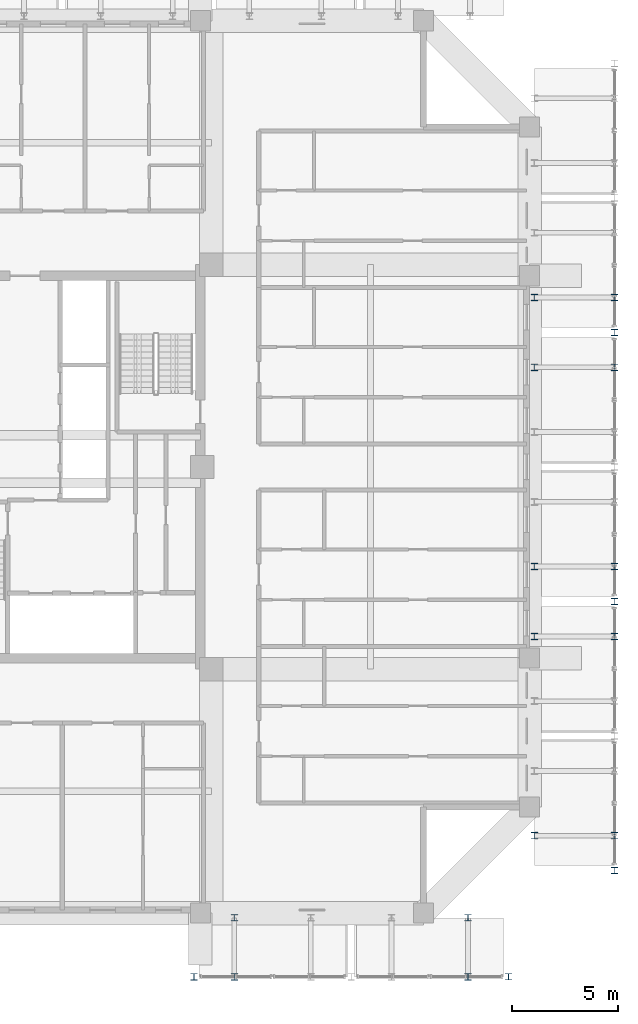
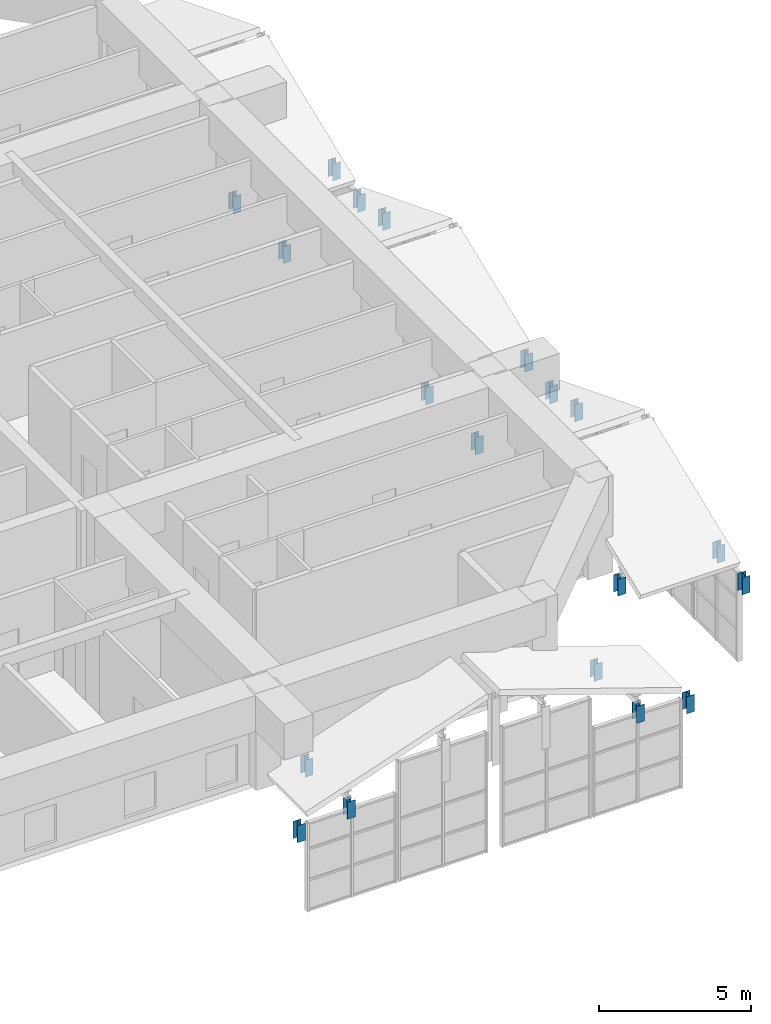
# One storey, part 29 of 45: 19 members.
"""IFC4 building model written with IfcOpenShell, lengths in metres."""

from ifc_helpers import new_model, si_unit, direction, frame, origin, origin_2d, place, context, subcontext, project, spatial, i_section, extrude, source, transform, mapped, material, material_profile, profile_set, type_object, element, save


model = new_model("IFC4")

# Units and contexts
model_context = context("Model", 3, precision=1e-05, world=origin(), true_north=direction((0.0, 1.0)))
body_context = subcontext(model_context, "Body", "Model", "MODEL_VIEW")
ifc_project = project(units=[si_unit("LENGTHUNIT", "METRE"), si_unit("AREAUNIT", "SQUARE_METRE"), si_unit("VOLUMEUNIT", "CUBIC_METRE"), si_unit("PLANEANGLEUNIT", "RADIAN"), si_unit("MASSUNIT", "GRAM", prefix="KILO")], contexts=[model_context])

# Site, building, storey
site_placement = place(None, origin())
site = spatial("IfcSite", under=ifc_project, at=site_placement, CompositionType="ELEMENT")
building_placement = place(site_placement, origin())
building = spatial("IfcBuilding", under=site, at=building_placement, Name="Saelheon Loggia Tower", CompositionType="ELEMENT")
storey_placement = place(building_placement, frame((0.0, 0.0, 152.199951171875)))
storey = spatial("IfcBuildingStorey", under=building, at=storey_placement, Name="L48", CompositionType="ELEMENT", Elevation=152.199951171875)

# Members
ifc_material = material(Name="Steel SM355", Category="steel")
ifc_material_profile_1 = material_profile(ifc_material, i_section(OverallWidth=0.300048828125, OverallDepth=0.300048828125, WebThickness=0.010009765625, FlangeThickness=0.014892578125, at=origin_2d()), Name="H-300x300x10x15")
ifc_profile_set_1 = profile_set([ifc_material_profile_1], Name="Steel SM355")
member_type_1 = type_object("IfcMemberType", Name="WaveCrest_Post_H300", PredefinedType="POST", material=ifc_profile_set_1)
shared_shape_1 = source(origin(), body_context, "Body", "SweptSolid", [
    extrude(i_section(OverallWidth=0.300048828125, OverallDepth=0.300048828125, WebThickness=0.010009765625, FlangeThickness=0.014892578125, at=origin_2d()), origin(), (0.0, 0.0, 1.0), 0.679931640625),
])
for number, where, z_axis, x_axis, name in (
    (1, (64.0, 8.0, -0.47998046875), (0.0, 0.0, 1.0), (1.0, 0.0, 0.0), "Tier 1 Wave Crest Upper Post E 00"),
    (2, (64.0, 20.666748046875, -0.47998046875), (0.0, 0.0, 1.0), (1.0, 0.0, 0.0), "Tier 1 Wave Crest Upper Post E 02"),
    (3, (64.0, 33.333251953125, -0.47998046875), (0.0, 0.0, 1.0), (1.0, 0.0, 0.0), "Tier 1 Wave Crest Upper Post E 04"),
    (4, (44.199951171875, 3.0, -0.47998046875), (0.0, 0.0, 1.0), (1.0, 0.0, 0.0), "Tier 1 Wave Crest Upper Post SE 00"),
    (5, (59.0, 3.0, -0.47998046875), (0.0, 0.0, 1.0), (1.0, 0.0, 0.0), "Tier 1 Wave Crest Upper Post SE 02"),
    (6, (46.100830078125, 3.0, -0.20166015625), (0.0, 0.0, 1.0), (1.0, 0.0, 0.0), "Tier 1 Rafter Outer Upper Post SE 01"),
):
    element("IfcMember", number, at=place(storey_placement, frame(where, z_axis=z_axis, x_axis=x_axis)), inside=storey, type_object=member_type_1, Name=name, PredefinedType="POST", context=body_context, shape_type="MappedRepresentation", body=[
        mapped(shared_shape_1, transform((0.0, 0.0, 0.0), scale=1.0)),
    ])
ifc_material_profile_2 = material_profile(ifc_material, i_section(OverallWidth=0.300048828125, OverallDepth=0.300048828125, WebThickness=0.010009765625, FlangeThickness=0.014892578125, at=origin_2d()), Name="H-300x300x10x15")
ifc_profile_set_2 = profile_set([ifc_material_profile_2], Name="Steel SM355")
member_type_2 = type_object("IfcMemberType", Name="Belt_Post_H300", PredefinedType="POST", material=ifc_profile_set_2)
member_1_placement = place(storey_placement, frame((46.100830078125, 5.780029296875, -0.20166015625), z_axis=(0.0, 0.0, 1.0), x_axis=(1.0, 0.0, 0.0)))
element("IfcMember", 7, at=member_1_placement, inside=storey, type_object=member_type_2, Name="Tier 1 Rafter Inner Post SE 01", PredefinedType="POST", context=body_context, shape_type="MappedRepresentation", body=[
    mapped(shared_shape_1, transform((0.0, 0.0, 0.0), scale=1.0)),
])
member_2_placement = place(storey_placement, frame((57.09912109375, 3.0, -0.20166015625), z_axis=(0.0, 0.0, 1.0), x_axis=(1.0, 0.0, 0.0)))
element("IfcMember", 8, at=member_2_placement, inside=storey, type_object=member_type_1, Name="Tier 1 Rafter Outer Upper Post SE 02", PredefinedType="POST", context=body_context, shape_type="MappedRepresentation", body=[
    mapped(shared_shape_1, transform((0.0, 0.0, 0.0), scale=1.0)),
])
member_3_placement = place(storey_placement, frame((57.09912109375, 5.780029296875, -0.20166015625), z_axis=(0.0, 0.0, 1.0), x_axis=(1.0, 0.0, 0.0)))
element("IfcMember", 9, at=member_3_placement, inside=storey, type_object=member_type_2, Name="Tier 1 Rafter Inner Post SE 02", PredefinedType="POST", context=body_context, shape_type="MappedRepresentation", body=[
    mapped(shared_shape_1, transform((0.0, 0.0, 0.0), scale=1.0)),
])
shared_shape_2 = source(origin(), body_context, "Body", "SweptSolid", [
    extrude(i_section(OverallWidth=0.300048828125, OverallDepth=0.300048828125, WebThickness=0.010009765625, FlangeThickness=0.014892578125, at=origin_2d()), origin(), (0.0, 0.0, 1.0), 0.68017578125),
])
member_4_placement = place(storey_placement, frame((64.0, 9.644775390625, -0.2080078125), z_axis=(0.0, 0.0, 1.0), x_axis=(1.0, 0.0, 0.0)))
element("IfcMember", 10, at=member_4_placement, inside=storey, type_object=member_type_1, Name="Tier 1 Rafter Outer Upper Post E 01", PredefinedType="POST", context=body_context, shape_type="MappedRepresentation", body=[
    mapped(shared_shape_2, transform((0.0, 0.0, 0.0), scale=1.0)),
])
member_5_placement = place(storey_placement, frame((60.219970703125, 9.644775390625, -0.2080078125), z_axis=(0.0, 0.0, 1.0), x_axis=(1.0, 0.0, 0.0)))
element("IfcMember", 11, at=member_5_placement, inside=storey, type_object=member_type_2, Name="Tier 1 Rafter Inner Post E 01", PredefinedType="POST", context=body_context, shape_type="MappedRepresentation", body=[
    mapped(shared_shape_2, transform((0.0, 0.0, 0.0), scale=1.0)),
])
member_6_placement = place(storey_placement, frame((64.0, 19.02197265625, -0.2080078125), z_axis=(0.0, 0.0, 1.0), x_axis=(1.0, 0.0, 0.0)))
element("IfcMember", 12, at=member_6_placement, inside=storey, type_object=member_type_1, Name="Tier 1 Rafter Outer Upper Post E 02", PredefinedType="POST", context=body_context, shape_type="MappedRepresentation", body=[
    mapped(shared_shape_2, transform((0.0, 0.0, 0.0), scale=1.0)),
])
member_7_placement = place(storey_placement, frame((60.219970703125, 19.02197265625, -0.2080078125), z_axis=(0.0, 0.0, 1.0), x_axis=(1.0, 0.0, 0.0)))
element("IfcMember", 13, at=member_7_placement, inside=storey, type_object=member_type_2, Name="Tier 1 Rafter Inner Post E 02", PredefinedType="POST", context=body_context, shape_type="MappedRepresentation", body=[
    mapped(shared_shape_2, transform((0.0, 0.0, 0.0), scale=1.0)),
])
member_8_placement = place(storey_placement, frame((64.0, 22.3115234375, -0.2080078125), z_axis=(0.0, 0.0, 1.0), x_axis=(1.0, 0.0, 0.0)))
element("IfcMember", 14, at=member_8_placement, inside=storey, type_object=member_type_1, Name="Tier 1 Rafter Outer Upper Post E 03", PredefinedType="POST", context=body_context, shape_type="MappedRepresentation", body=[
    mapped(shared_shape_2, transform((0.0, 0.0, 0.0), scale=1.0)),
])
member_9_placement = place(storey_placement, frame((60.219970703125, 22.3115234375, -0.2080078125), z_axis=(0.0, 0.0, 1.0), x_axis=(1.0, 0.0, 0.0)))
element("IfcMember", 15, at=member_9_placement, inside=storey, type_object=member_type_2, Name="Tier 1 Rafter Inner Post E 03", PredefinedType="POST", context=body_context, shape_type="MappedRepresentation", body=[
    mapped(shared_shape_2, transform((0.0, 0.0, 0.0), scale=1.0)),
])
member_10_placement = place(storey_placement, frame((64.0, 31.6884765625, -0.2080078125), z_axis=(0.0, 0.0, 1.0), x_axis=(1.0, 0.0, 0.0)))
element("IfcMember", 16, at=member_10_placement, inside=storey, type_object=member_type_1, Name="Tier 1 Rafter Outer Upper Post E 04", PredefinedType="POST", context=body_context, shape_type="MappedRepresentation", body=[
    mapped(shared_shape_2, transform((0.0, 0.0, 0.0), scale=1.0)),
])
member_11_placement = place(storey_placement, frame((60.219970703125, 31.6884765625, -0.2080078125), z_axis=(0.0, 0.0, 1.0), x_axis=(1.0, 0.0, 0.0)))
element("IfcMember", 17, at=member_11_placement, inside=storey, type_object=member_type_2, Name="Tier 1 Rafter Inner Post E 04", PredefinedType="POST", context=body_context, shape_type="MappedRepresentation", body=[
    mapped(shared_shape_2, transform((0.0, 0.0, 0.0), scale=1.0)),
])
member_12_placement = place(storey_placement, frame((64.0, 34.97802734375, -0.2080078125), z_axis=(0.0, 0.0, 1.0), x_axis=(1.0, 0.0, 0.0)))
element("IfcMember", 18, at=member_12_placement, inside=storey, type_object=member_type_1, Name="Tier 1 Rafter Outer Upper Post E 05", PredefinedType="POST", context=body_context, shape_type="MappedRepresentation", body=[
    mapped(shared_shape_2, transform((0.0, 0.0, 0.0), scale=1.0)),
])
member_13_placement = place(storey_placement, frame((60.219970703125, 34.97802734375, -0.2080078125), z_axis=(0.0, 0.0, 1.0), x_axis=(1.0, 0.0, 0.0)))
element("IfcMember", 19, at=member_13_placement, inside=storey, type_object=member_type_2, Name="Tier 1 Rafter Inner Post E 05", PredefinedType="POST", context=body_context, shape_type="MappedRepresentation", body=[
    mapped(shared_shape_2, transform((0.0, 0.0, 0.0), scale=1.0)),
])

save(model, "model.ifc")
